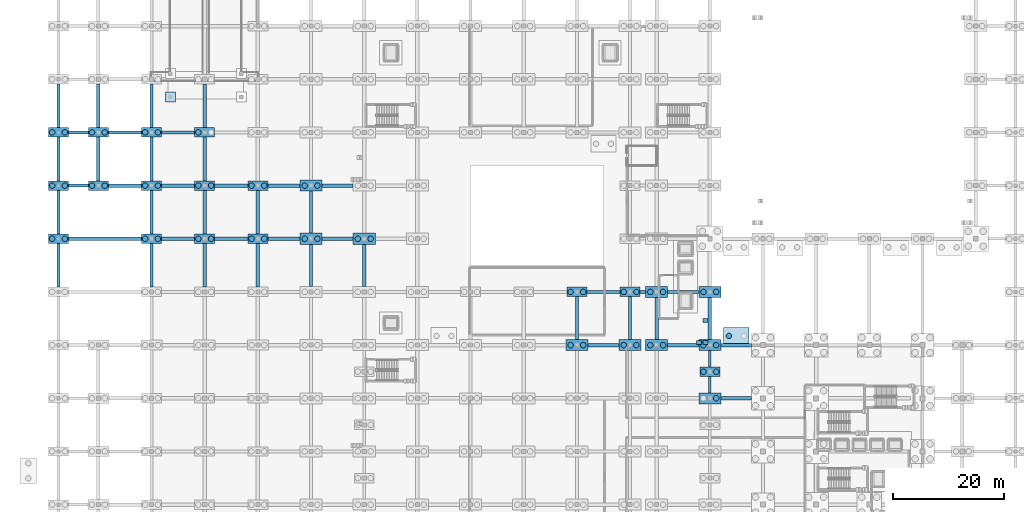
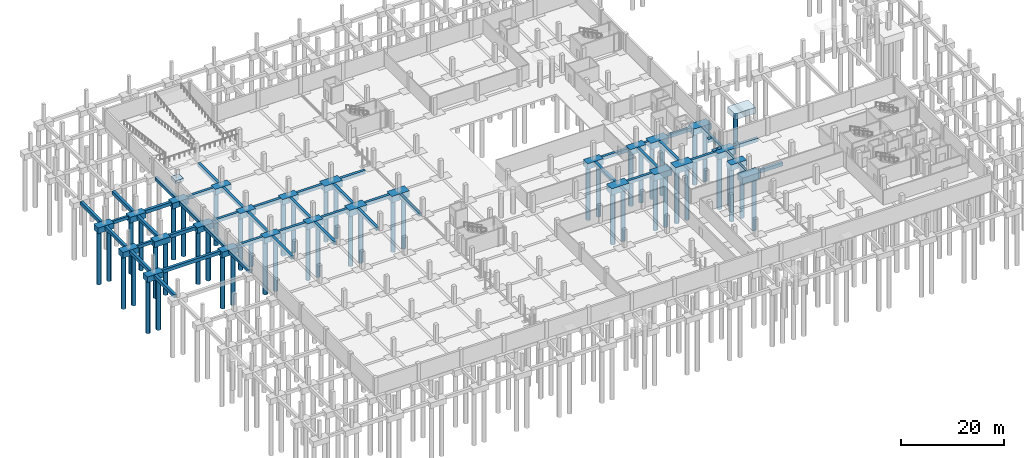
# One storey, part 5 of 54: 77 footings, 51 piles.
"""IFC4 building model written with IfcOpenShell, lengths in metres."""

from ifc_helpers import new_model, si_unit, direction, frame, origin, origin_2d, place, context, subcontext, project, spatial, rectangle, circle, extrude, material, material_profile, profile_set, type_object, element, save


model = new_model("IFC4")

# Units and contexts
model_context = context("Model", 3, precision=1e-05, world=origin(), true_north=direction((0.0, 1.0)))
body_context = subcontext(model_context, "Body", "Model", "MODEL_VIEW")
ifc_project = project(units=[si_unit("LENGTHUNIT", "METRE"), si_unit("AREAUNIT", "SQUARE_METRE"), si_unit("VOLUMEUNIT", "CUBIC_METRE"), si_unit("PLANEANGLEUNIT", "RADIAN"), si_unit("MASSUNIT", "GRAM", prefix="KILO")], contexts=[model_context])

# Site, building, storey
site_placement = place(None, origin())
site = spatial("IfcSite", under=ifc_project, at=site_placement, CompositionType="ELEMENT")
building_placement = place(site_placement, origin())
building = spatial("IfcBuilding", under=site, at=building_placement, Name="Zevrakil Square Congress Hotel", CompositionType="ELEMENT")
storey_placement = place(building_placement, frame((0.0, 0.0, -8.39990234375)))
storey = spatial("IfcBuildingStorey", under=building, at=storey_placement, Name="B2", CompositionType="ELEMENT", Elevation=-8.39990234375)

# Footings
ifc_material_1 = material(Name="Concrete C35/45", Category="concrete")
footing_type_1 = type_object("IfcFootingType", Name="FTG-PAD-1800", PredefinedType="PAD_FOOTING", material=ifc_material_1)
footing_1_placement = place(storey_placement, frame((20.199951171875, 90.39990234375, -0.650146484375), z_axis=(0.0, 0.0, 1.0), x_axis=(1.0, 0.0, 0.0)))
element("IfcFooting", 1, at=footing_1_placement, inside=storey, type_object=footing_type_1, Name="Vehicle ramp landing column footing 1", PredefinedType="PAD_FOOTING", context=body_context, shape_type="SweptSolid", body=[
    extrude(rectangle(XDim=1.800048828125, YDim=1.800048828125, at=origin_2d()), origin(), (0.0, 0.0, 1.0), 0.64990234375),
])
ifc_material_2 = material(Name="Concrete C35/45", Category="concrete")
footing_type_2 = type_object("IfcFootingType", Name="FTG-PC2-360", PredefinedType="PILE_CAP", material=ifc_material_2)
for number, where, z_axis, x_axis, name in (
    (2, (0.0, 64.800048828125, -1.35009765625), (0.0, 0.0, 1.0), (1.0, 0.0, 0.0), "Pile cap PC2-008"),
    (3, (0.0, 74.39990234375, -1.35009765625), (0.0, 0.0, 1.0), (1.0, 0.0, 0.0), "Pile cap PC2-009"),
    (4, (0.0, 84.0, -1.35009765625), (0.0, 0.0, 1.0), (1.0, 0.0, 0.0), "Pile cap PC2-010"),
    (5, (7.199951171875, 74.39990234375, -1.35009765625), (0.0, 0.0, 1.0), (1.0, 0.0, 0.0), "Pile cap PC2-022"),
    (6, (7.199951171875, 84.0, -1.35009765625), (0.0, 0.0, 1.0), (1.0, 0.0, 0.0), "Pile cap PC2-023"),
    (7, (16.800048828125, 64.800048828125, -1.35009765625), (0.0, 0.0, 1.0), (1.0, 0.0, 0.0), "Pile cap PC2-035"),
    (8, (16.800048828125, 74.39990234375, -1.35009765625), (0.0, 0.0, 1.0), (1.0, 0.0, 0.0), "Pile cap PC2-036"),
    (9, (16.800048828125, 84.0, -1.35009765625), (0.0, 0.0, 1.0), (1.0, 0.0, 0.0), "Pile cap PC2-037"),
    (10, (26.39990234375, 64.800048828125, -1.35009765625), (0.0, 0.0, 1.0), (1.0, 0.0, 0.0), "Pile cap PC2-049"),
    (11, (26.39990234375, 74.39990234375, -1.35009765625), (0.0, 0.0, 1.0), (1.0, 0.0, 0.0), "Pile cap PC2-050"),
    (12, (26.39990234375, 84.0, -1.35009765625), (0.0, 0.0, 1.0), (1.0, 0.0, 0.0), "Pile cap PC2-051"),
    (13, (36.0, 64.800048828125, -1.35009765625), (0.0, 0.0, 1.0), (1.0, 0.0, 0.0), "Pile cap PC2-063"),
    (14, (36.0, 74.39990234375, -1.35009765625), (0.0, 0.0, 1.0), (1.0, 0.0, 0.0), "Pile cap PC2-064"),
    (15, (93.60009765625, 55.199951171875, -1.35009765625), (0.0, 0.0, 1.0), (1.0, 0.0, 0.0), "Pile cap PC2-146"),
    (16, (103.199951171875, 55.199951171875, -1.35009765625), (0.0, 0.0, 1.0), (1.0, 0.0, 0.0), "Pile cap PC2-160"),
    (17, (117.60009765625, 40.800048828125, -1.35009765625), (0.0, 0.0, 1.0), (1.0, 0.0, 0.0), "Pile cap PC2-N117-040"),
):
    element("IfcFooting", number, at=place(storey_placement, frame(where, z_axis=z_axis, x_axis=x_axis)), inside=storey, type_object=footing_type_2, Name=name, PredefinedType="PILE_CAP", context=body_context, shape_type="SweptSolid", body=[
        extrude(rectangle(XDim=3.60009765625, YDim=1.699951171875, at=origin_2d()), origin(), (0.0, 0.0, 1.0), 1.35009765625),
    ])
ifc_material_3 = material(Name="Concrete C35/45", Category="concrete")
footing_type_3 = type_object("IfcFootingType", Name="FTG-PC2-400", PredefinedType="PILE_CAP", material=ifc_material_3)
for number, where, z_axis, x_axis, name in (
    (18, (45.60009765625, 64.800048828125, -1.5), (0.0, 0.0, 1.0), (1.0, 0.0, 0.0), "Pile cap PC2-077"),
    (19, (45.60009765625, 74.39990234375, -1.5), (0.0, 0.0, 1.0), (1.0, 0.0, 0.0), "Pile cap PC2-078"),
    (20, (55.199951171875, 64.800048828125, -1.5), (0.0, 0.0, 1.0), (1.0, 0.0, 0.0), "Pile cap PC2-091"),
    (21, (93.60009765625, 45.60009765625, -1.5), (0.0, 0.0, 1.0), (1.0, 0.0, 0.0), "Pile cap PC2-145"),
    (22, (103.199951171875, 45.60009765625, -1.5), (0.0, 0.0, 1.0), (1.0, 0.0, 0.0), "Pile cap PC2-159"),
    (23, (108.0, 45.60009765625, -1.5), (0.0, 0.0, 1.0), (1.0, 0.0, 0.0), "Pile cap PC2-173"),
    (24, (108.0, 55.199951171875, -1.5), (0.0, 0.0, 1.0), (1.0, 0.0, 0.0), "Pile cap PC2-174"),
    (25, (117.60009765625, 36.0, -1.5), (0.0, 0.0, 1.0), (1.0, 0.0, 0.0), "Pile cap PC2-186"),
    (26, (117.60009765625, 45.60009765625, -1.5), (0.0, 0.0, 1.0), (1.0, 0.0, 0.0), "Pile cap PC2-187"),
    (27, (117.60009765625, 55.199951171875, -1.5), (0.0, 0.0, 1.0), (1.0, 0.0, 0.0), "Pile cap PC2-188"),
):
    element("IfcFooting", number, at=place(storey_placement, frame(where, z_axis=z_axis, x_axis=x_axis)), inside=storey, type_object=footing_type_3, Name=name, PredefinedType="PILE_CAP", context=body_context, shape_type="SweptSolid", body=[
        extrude(rectangle(XDim=4.0, YDim=2.0, at=origin_2d()), origin(), (0.0, 0.0, 1.0), 1.5),
    ])
ifc_material_4 = material(Name="Concrete C35/45", Category="concrete")
footing_type_4 = type_object("IfcFootingType", Name="FTG-PC2-460x300", PredefinedType="PILE_CAP", material=ifc_material_4)
footing_2_placement = place(storey_placement, frame((122.39990234375, 47.25, 5.75), z_axis=(0.0, 0.0, 1.0), x_axis=(1.0, 0.0, 0.0)))
element("IfcFooting", 28, at=footing_2_placement, inside=storey, type_object=footing_type_4, Name="Exterior exit landing two-pile cap EX-ST07", PredefinedType="PILE_CAP", context=body_context, shape_type="SweptSolid", body=[
    extrude(rectangle(XDim=4.60009765625, YDim=3.0, at=origin_2d()), origin(), (0.0, 0.0, 1.0), 1.39990234375),
])
ifc_material_5 = material(Name="Concrete C35/45", Category="concrete")
ifc_material_profile_1 = material_profile(ifc_material_5, rectangle(XDim=0.75, YDim=0.75, at=origin_2d()), Name="RC 750x750")
ifc_profile_set_1 = profile_set([ifc_material_profile_1], Name="Concrete C35/45")
footing_type_5 = type_object("IfcFootingType", Name="FTG-STRIP-750", PredefinedType="STRIP_FOOTING", material=ifc_profile_set_1)
footing_3_placement = place(storey_placement, frame((115.199951171875, 46.10009765625, -0.375), z_axis=(1.0, 0.0, 0.0), x_axis=(0.0, 1.0, 0.0)))
element("IfcFooting", 29, at=footing_3_placement, inside=storey, type_object=footing_type_5, Name="B2 stair post footing ST07-1", PredefinedType="STRIP_FOOTING", context=body_context, shape_type="SweptSolid", body=[
    extrude(rectangle(XDim=0.75, YDim=0.75, at=origin_2d()), origin(), (0.0, 0.0, 1.0), 0.900146484375),
])
for number, where, z_axis, x_axis, name in (
    (30, (116.330078125, 46.10009765625, -0.375), (1.0, 0.0, 0.0), (0.0, 1.0, 0.0), "B2 stair post footing ST07-2"),
    (31, (116.330078125, 50.050048828125, -0.375), (1.0, 0.0, 0.0), (0.0, 1.0, 0.0), "B2 stair post footing ST07-3"),
):
    element("IfcFooting", number, at=place(storey_placement, frame(where, z_axis=z_axis, x_axis=x_axis)), inside=storey, type_object=footing_type_5, Name=name, PredefinedType="STRIP_FOOTING", context=body_context, shape_type="SweptSolid", body=[
        extrude(rectangle(XDim=0.75, YDim=0.75, at=origin_2d()), origin(), (0.0, 0.0, 1.0), 0.89990234375),
    ])
ifc_material_6 = material(Name="Concrete C35/45", Category="concrete")
ifc_material_profile_2 = material_profile(ifc_material_6, rectangle(XDim=0.5, YDim=0.75, at=origin_2d()), Name="RC 500x750")
ifc_profile_set_2 = profile_set([ifc_material_profile_2], Name="Concrete C35/45")
footing_type_6 = type_object("IfcFootingType", Name="FTG-TIE-500x750", PredefinedType="FOOTING_BEAM", material=ifc_profile_set_2)
footing_4_placement = place(storey_placement, frame((105.0, 55.199951171875, -0.375), z_axis=(1.0, 0.0, 0.0), x_axis=(0.0, 1.0, 0.0)))
element("IfcFooting", 32, at=footing_4_placement, inside=storey, type_object=footing_type_6, Name="Ground tie beam GB-116", PredefinedType="FOOTING_BEAM", context=body_context, shape_type="SweptSolid", body=[
    extrude(rectangle(XDim=0.5, YDim=0.75, at=origin_2d()), origin(), (0.0, 0.0, 1.0), 1.0),
])
for number, where, z_axis, x_axis, name in (
    (33, (1.800048828125, 74.39990234375, -0.375), (1.0, 0.0, 0.0), (0.0, 1.0, 0.0), "Ground tie beam GB-132"),
    (34, (1.800048828125, 84.0, -0.375), (1.0, 0.0, 0.0), (0.0, 1.0, 0.0), "Ground tie beam GB-142"),
):
    element("IfcFooting", number, at=place(storey_placement, frame(where, z_axis=z_axis, x_axis=x_axis)), inside=storey, type_object=footing_type_6, Name=name, PredefinedType="FOOTING_BEAM", context=body_context, shape_type="SweptSolid", body=[
        extrude(rectangle(XDim=0.5, YDim=0.75, at=origin_2d()), origin(), (0.0, 0.0, 1.0), 3.599853515625),
    ])
footing_5_placement = place(storey_placement, frame((117.60009765625, 37.0, -0.375), z_axis=(0.0, 1.0, 0.0), x_axis=(-1.0, 0.0, 0.0)))
element("IfcFooting", 35, at=footing_5_placement, inside=storey, type_object=footing_type_6, Name="Ground tie beam GB-381", PredefinedType="FOOTING_BEAM", context=body_context, shape_type="SweptSolid", body=[
    extrude(rectangle(XDim=0.5, YDim=0.75, at=origin_2d()), origin(), (0.0, 0.0, 1.0), 2.949951171875),
])
footing_6_placement = place(storey_placement, frame((117.60009765625, 41.64990234375, -0.375), z_axis=(0.0, 1.0, 0.0), x_axis=(-1.0, 0.0, 0.0)))
element("IfcFooting", 36, at=footing_6_placement, inside=storey, type_object=footing_type_6, Name="Ground tie beam GB-382", PredefinedType="FOOTING_BEAM", context=body_context, shape_type="SweptSolid", body=[
    extrude(rectangle(XDim=0.5, YDim=0.75, at=origin_2d()), origin(), (0.0, 0.0, 1.0), 2.9501953125),
])
ifc_material_7 = material(Name="Concrete C35/45", Category="concrete")
ifc_material_profile_3 = material_profile(ifc_material_7, rectangle(XDim=0.60009765625, YDim=0.800048828125, at=origin_2d()), Name="RC 600x800")
ifc_profile_set_3 = profile_set([ifc_material_profile_3], Name="Concrete C35/45")
footing_type_7 = type_object("IfcFootingType", Name="FTG-TIE-600x800", PredefinedType="FOOTING_BEAM", material=ifc_profile_set_3)
footing_7_placement = place(storey_placement, frame((119.60009765625, 36.0, -0.400146484375), z_axis=(1.0, 0.0, 0.0), x_axis=(0.0, 1.0, 0.0)))
element("IfcFooting", 37, at=footing_7_placement, inside=storey, type_object=footing_type_7, Name="Ground tie beam GB-083", PredefinedType="FOOTING_BEAM", context=body_context, shape_type="SweptSolid", body=[
    extrude(rectangle(XDim=0.60009765625, YDim=0.800048828125, at=origin_2d()), origin(), (0.0, 0.0, 1.0), 5.5),
])
footing_8_placement = place(storey_placement, frame((95.60009765625, 45.60009765625, -0.400146484375), z_axis=(1.0, 0.0, 0.0), x_axis=(0.0, 1.0, 0.0)))
element("IfcFooting", 38, at=footing_8_placement, inside=storey, type_object=footing_type_7, Name="Ground tie beam GB-098", PredefinedType="FOOTING_BEAM", context=body_context, shape_type="SweptSolid", body=[
    extrude(rectangle(XDim=0.60009765625, YDim=0.800048828125, at=origin_2d()), origin(), (0.0, 0.0, 1.0), 5.599853515625),
])
footing_9_placement = place(storey_placement, frame((110.0, 45.60009765625, -0.400146484375), z_axis=(1.0, 0.0, 0.0), x_axis=(0.0, 1.0, 0.0)))
element("IfcFooting", 39, at=footing_9_placement, inside=storey, type_object=footing_type_7, Name="Ground tie beam GB-099", PredefinedType="FOOTING_BEAM", context=body_context, shape_type="SweptSolid", body=[
    extrude(rectangle(XDim=0.60009765625, YDim=0.800048828125, at=origin_2d()), origin(), (0.0, 0.0, 1.0), 5.60009765625),
])
footing_10_placement = place(storey_placement, frame((119.60009765625, 45.60009765625, -0.400146484375), z_axis=(1.0, 0.0, 0.0), x_axis=(0.0, 1.0, 0.0)))
element("IfcFooting", 40, at=footing_10_placement, inside=storey, type_object=footing_type_7, Name="Ground tie beam GB-100", PredefinedType="FOOTING_BEAM", context=body_context, shape_type="SweptSolid", body=[
    extrude(rectangle(XDim=0.60009765625, YDim=0.800048828125, at=origin_2d()), origin(), (0.0, 0.0, 1.0), 5.5),
])
footing_11_placement = place(storey_placement, frame((95.39990234375, 55.199951171875, -0.400146484375), z_axis=(1.0, 0.0, 0.0), x_axis=(0.0, 1.0, 0.0)))
element("IfcFooting", 41, at=footing_11_placement, inside=storey, type_object=footing_type_7, Name="Ground tie beam GB-115", PredefinedType="FOOTING_BEAM", context=body_context, shape_type="SweptSolid", body=[
    extrude(rectangle(XDim=0.60009765625, YDim=0.800048828125, at=origin_2d()), origin(), (0.0, 0.0, 1.0), 6.0),
])
footing_12_placement = place(storey_placement, frame((110.0, 55.199951171875, -0.400146484375), z_axis=(1.0, 0.0, 0.0), x_axis=(0.0, 1.0, 0.0)))
element("IfcFooting", 42, at=footing_12_placement, inside=storey, type_object=footing_type_7, Name="Ground tie beam GB-117", PredefinedType="FOOTING_BEAM", context=body_context, shape_type="SweptSolid", body=[
    extrude(rectangle(XDim=0.60009765625, YDim=0.800048828125, at=origin_2d()), origin(), (0.0, 0.0, 1.0), 5.60009765625),
])
footing_13_placement = place(storey_placement, frame((1.800048828125, 64.800048828125, -0.400146484375), z_axis=(1.0, 0.0, 0.0), x_axis=(0.0, 1.0, 0.0)))
element("IfcFooting", 43, at=footing_13_placement, inside=storey, type_object=footing_type_7, Name="Ground tie beam GB-118", PredefinedType="FOOTING_BEAM", context=body_context, shape_type="SweptSolid", body=[
    extrude(rectangle(XDim=0.60009765625, YDim=0.800048828125, at=origin_2d()), origin(), (0.0, 0.0, 1.0), 13.199951171875),
])
for number, where, z_axis, x_axis, name in (
    (44, (18.60009765625, 64.800048828125, -0.400146484375), (1.0, 0.0, 0.0), (0.0, 1.0, 0.0), "Ground tie beam GB-119"),
    (45, (28.199951171875, 64.800048828125, -0.400146484375), (1.0, 0.0, 0.0), (0.0, 1.0, 0.0), "Ground tie beam GB-120"),
):
    element("IfcFooting", number, at=place(storey_placement, frame(where, z_axis=z_axis, x_axis=x_axis)), inside=storey, type_object=footing_type_7, Name=name, PredefinedType="FOOTING_BEAM", context=body_context, shape_type="SweptSolid", body=[
        extrude(rectangle(XDim=0.60009765625, YDim=0.800048828125, at=origin_2d()), origin(), (0.0, 0.0, 1.0), 6.0),
    ])
footing_14_placement = place(storey_placement, frame((37.800048828125, 64.800048828125, -0.400146484375), z_axis=(1.0, 0.0, 0.0), x_axis=(0.0, 1.0, 0.0)))
element("IfcFooting", 46, at=footing_14_placement, inside=storey, type_object=footing_type_7, Name="Ground tie beam GB-121", PredefinedType="FOOTING_BEAM", context=body_context, shape_type="SweptSolid", body=[
    extrude(rectangle(XDim=0.60009765625, YDim=0.800048828125, at=origin_2d()), origin(), (0.0, 0.0, 1.0), 5.800048828125),
])
footing_15_placement = place(storey_placement, frame((47.60009765625, 64.800048828125, -0.400146484375), z_axis=(1.0, 0.0, 0.0), x_axis=(0.0, 1.0, 0.0)))
element("IfcFooting", 47, at=footing_15_placement, inside=storey, type_object=footing_type_7, Name="Ground tie beam GB-122", PredefinedType="FOOTING_BEAM", context=body_context, shape_type="SweptSolid", body=[
    extrude(rectangle(XDim=0.60009765625, YDim=0.800048828125, at=origin_2d()), origin(), (0.0, 0.0, 1.0), 5.599853515625),
])
for number, where, z_axis, x_axis, name in (
    (48, (9.0, 74.39990234375, -0.400146484375), (1.0, 0.0, 0.0), (0.0, 1.0, 0.0), "Ground tie beam GB-133"),
    (49, (18.60009765625, 74.39990234375, -0.400146484375), (1.0, 0.0, 0.0), (0.0, 1.0, 0.0), "Ground tie beam GB-134"),
    (50, (28.199951171875, 74.39990234375, -0.400146484375), (1.0, 0.0, 0.0), (0.0, 1.0, 0.0), "Ground tie beam GB-135"),
):
    element("IfcFooting", number, at=place(storey_placement, frame(where, z_axis=z_axis, x_axis=x_axis)), inside=storey, type_object=footing_type_7, Name=name, PredefinedType="FOOTING_BEAM", context=body_context, shape_type="SweptSolid", body=[
        extrude(rectangle(XDim=0.60009765625, YDim=0.800048828125, at=origin_2d()), origin(), (0.0, 0.0, 1.0), 6.0),
    ])
footing_16_placement = place(storey_placement, frame((37.800048828125, 74.39990234375, -0.400146484375), z_axis=(1.0, 0.0, 0.0), x_axis=(0.0, 1.0, 0.0)))
element("IfcFooting", 51, at=footing_16_placement, inside=storey, type_object=footing_type_7, Name="Ground tie beam GB-136", PredefinedType="FOOTING_BEAM", context=body_context, shape_type="SweptSolid", body=[
    extrude(rectangle(XDim=0.60009765625, YDim=0.800048828125, at=origin_2d()), origin(), (0.0, 0.0, 1.0), 5.800048828125),
])
footing_17_placement = place(storey_placement, frame((47.60009765625, 74.39990234375, -0.400146484375), z_axis=(1.0, 0.0, 0.0), x_axis=(0.0, 1.0, 0.0)))
element("IfcFooting", 52, at=footing_17_placement, inside=storey, type_object=footing_type_7, Name="Ground tie beam GB-137", PredefinedType="FOOTING_BEAM", context=body_context, shape_type="SweptSolid", body=[
    extrude(rectangle(XDim=0.60009765625, YDim=0.800048828125, at=origin_2d()), origin(), (0.0, 0.0, 1.0), 5.599853515625),
])
for number, where, z_axis, x_axis, name in (
    (53, (9.0, 84.0, -0.400146484375), (1.0, 0.0, 0.0), (0.0, 1.0, 0.0), "Ground tie beam GB-143"),
    (54, (18.60009765625, 84.0, -0.400146484375), (1.0, 0.0, 0.0), (0.0, 1.0, 0.0), "Ground tie beam GB-144"),
):
    element("IfcFooting", number, at=place(storey_placement, frame(where, z_axis=z_axis, x_axis=x_axis)), inside=storey, type_object=footing_type_7, Name=name, PredefinedType="FOOTING_BEAM", context=body_context, shape_type="SweptSolid", body=[
        extrude(rectangle(XDim=0.60009765625, YDim=0.800048828125, at=origin_2d()), origin(), (0.0, 0.0, 1.0), 6.0),
    ])
footing_18_placement = place(storey_placement, frame((0.0, 56.050048828125, -0.400146484375), z_axis=(0.0, 1.0, 0.0), x_axis=(-1.0, 0.0, 0.0)))
element("IfcFooting", 55, at=footing_18_placement, inside=storey, type_object=footing_type_7, Name="Ground tie beam GB-221", PredefinedType="FOOTING_BEAM", context=body_context, shape_type="SweptSolid", body=[
    extrude(rectangle(XDim=0.60009765625, YDim=0.800048828125, at=origin_2d()), origin(), (0.0, 0.0, 1.0), 7.89990234375),
])
footing_19_placement = place(storey_placement, frame((0.0, 65.64990234375, -0.400146484375), z_axis=(0.0, 1.0, 0.0), x_axis=(-1.0, 0.0, 0.0)))
element("IfcFooting", 56, at=footing_19_placement, inside=storey, type_object=footing_type_7, Name="Ground tie beam GB-222", PredefinedType="FOOTING_BEAM", context=body_context, shape_type="SweptSolid", body=[
    extrude(rectangle(XDim=0.60009765625, YDim=0.800048828125, at=origin_2d()), origin(), (0.0, 0.0, 1.0), 7.900146484375),
])
for number, where, z_axis, x_axis, name in (
    (57, (0.0, 75.25, -0.400146484375), (0.0, 1.0, 0.0), (-1.0, 0.0, 0.0), "Ground tie beam GB-223"),
    (58, (0.0, 84.85009765625, -0.400146484375), (0.0, 1.0, 0.0), (-1.0, 0.0, 0.0), "Ground tie beam GB-224"),
    (59, (7.199951171875, 75.25, -0.400146484375), (0.0, 1.0, 0.0), (-1.0, 0.0, 0.0), "Ground tie beam GB-232"),
    (60, (7.199951171875, 84.85009765625, -0.400146484375), (0.0, 1.0, 0.0), (-1.0, 0.0, 0.0), "Ground tie beam GB-233"),
    (61, (16.800048828125, 56.050048828125, -0.400146484375), (0.0, 1.0, 0.0), (-1.0, 0.0, 0.0), "Ground tie beam GB-243"),
):
    element("IfcFooting", number, at=place(storey_placement, frame(where, z_axis=z_axis, x_axis=x_axis)), inside=storey, type_object=footing_type_7, Name=name, PredefinedType="FOOTING_BEAM", context=body_context, shape_type="SweptSolid", body=[
        extrude(rectangle(XDim=0.60009765625, YDim=0.800048828125, at=origin_2d()), origin(), (0.0, 0.0, 1.0), 7.89990234375),
    ])
footing_20_placement = place(storey_placement, frame((16.800048828125, 65.64990234375, -0.400146484375), z_axis=(0.0, 1.0, 0.0), x_axis=(-1.0, 0.0, 0.0)))
element("IfcFooting", 62, at=footing_20_placement, inside=storey, type_object=footing_type_7, Name="Ground tie beam GB-244", PredefinedType="FOOTING_BEAM", context=body_context, shape_type="SweptSolid", body=[
    extrude(rectangle(XDim=0.60009765625, YDim=0.800048828125, at=origin_2d()), origin(), (0.0, 0.0, 1.0), 7.900146484375),
])
for number, where, z_axis, x_axis, name in (
    (63, (16.800048828125, 75.25, -0.400146484375), (0.0, 1.0, 0.0), (-1.0, 0.0, 0.0), "Ground tie beam GB-245"),
    (64, (16.800048828125, 84.85009765625, -0.400146484375), (0.0, 1.0, 0.0), (-1.0, 0.0, 0.0), "Ground tie beam GB-246"),
    (65, (26.39990234375, 56.050048828125, -0.400146484375), (0.0, 1.0, 0.0), (-1.0, 0.0, 0.0), "Ground tie beam GB-256"),
):
    element("IfcFooting", number, at=place(storey_placement, frame(where, z_axis=z_axis, x_axis=x_axis)), inside=storey, type_object=footing_type_7, Name=name, PredefinedType="FOOTING_BEAM", context=body_context, shape_type="SweptSolid", body=[
        extrude(rectangle(XDim=0.60009765625, YDim=0.800048828125, at=origin_2d()), origin(), (0.0, 0.0, 1.0), 7.89990234375),
    ])
footing_21_placement = place(storey_placement, frame((26.39990234375, 65.64990234375, -0.400146484375), z_axis=(0.0, 1.0, 0.0), x_axis=(-1.0, 0.0, 0.0)))
element("IfcFooting", 66, at=footing_21_placement, inside=storey, type_object=footing_type_7, Name="Ground tie beam GB-257", PredefinedType="FOOTING_BEAM", context=body_context, shape_type="SweptSolid", body=[
    extrude(rectangle(XDim=0.60009765625, YDim=0.800048828125, at=origin_2d()), origin(), (0.0, 0.0, 1.0), 7.900146484375),
])
for number, where, z_axis, x_axis, name in (
    (67, (26.39990234375, 75.25, -0.400146484375), (0.0, 1.0, 0.0), (-1.0, 0.0, 0.0), "Ground tie beam GB-258"),
    (68, (26.39990234375, 84.85009765625, -0.400146484375), (0.0, 1.0, 0.0), (-1.0, 0.0, 0.0), "Ground tie beam GB-259"),
    (69, (36.0, 56.050048828125, -0.400146484375), (0.0, 1.0, 0.0), (-1.0, 0.0, 0.0), "Ground tie beam GB-268"),
):
    element("IfcFooting", number, at=place(storey_placement, frame(where, z_axis=z_axis, x_axis=x_axis)), inside=storey, type_object=footing_type_7, Name=name, PredefinedType="FOOTING_BEAM", context=body_context, shape_type="SweptSolid", body=[
        extrude(rectangle(XDim=0.60009765625, YDim=0.800048828125, at=origin_2d()), origin(), (0.0, 0.0, 1.0), 7.89990234375),
    ])
footing_22_placement = place(storey_placement, frame((36.0, 65.64990234375, -0.400146484375), z_axis=(0.0, 1.0, 0.0), x_axis=(-1.0, 0.0, 0.0)))
element("IfcFooting", 70, at=footing_22_placement, inside=storey, type_object=footing_type_7, Name="Ground tie beam GB-269", PredefinedType="FOOTING_BEAM", context=body_context, shape_type="SweptSolid", body=[
    extrude(rectangle(XDim=0.60009765625, YDim=0.800048828125, at=origin_2d()), origin(), (0.0, 0.0, 1.0), 7.900146484375),
])
footing_23_placement = place(storey_placement, frame((45.60009765625, 56.199951171875, -0.400146484375), z_axis=(0.0, 1.0, 0.0), x_axis=(-1.0, 0.0, 0.0)))
element("IfcFooting", 71, at=footing_23_placement, inside=storey, type_object=footing_type_7, Name="Ground tie beam GB-281", PredefinedType="FOOTING_BEAM", context=body_context, shape_type="SweptSolid", body=[
    extrude(rectangle(XDim=0.60009765625, YDim=0.800048828125, at=origin_2d()), origin(), (0.0, 0.0, 1.0), 7.60009765625),
])
footing_24_placement = place(storey_placement, frame((45.60009765625, 65.800048828125, -0.400146484375), z_axis=(0.0, 1.0, 0.0), x_axis=(-1.0, 0.0, 0.0)))
element("IfcFooting", 72, at=footing_24_placement, inside=storey, type_object=footing_type_7, Name="Ground tie beam GB-282", PredefinedType="FOOTING_BEAM", context=body_context, shape_type="SweptSolid", body=[
    extrude(rectangle(XDim=0.60009765625, YDim=0.800048828125, at=origin_2d()), origin(), (0.0, 0.0, 1.0), 7.599853515625),
])
footing_25_placement = place(storey_placement, frame((55.199951171875, 56.199951171875, -0.400146484375), z_axis=(0.0, 1.0, 0.0), x_axis=(-1.0, 0.0, 0.0)))
element("IfcFooting", 73, at=footing_25_placement, inside=storey, type_object=footing_type_7, Name="Ground tie beam GB-298", PredefinedType="FOOTING_BEAM", context=body_context, shape_type="SweptSolid", body=[
    extrude(rectangle(XDim=0.60009765625, YDim=0.800048828125, at=origin_2d()), origin(), (0.0, 0.0, 1.0), 7.60009765625),
])
for number, where, z_axis, x_axis, name in (
    (74, (93.60009765625, 46.60009765625, -0.400146484375), (0.0, 1.0, 0.0), (-1.0, 0.0, 0.0), "Ground tie beam GB-343"),
    (75, (103.199951171875, 46.60009765625, -0.400146484375), (0.0, 1.0, 0.0), (-1.0, 0.0, 0.0), "Ground tie beam GB-353"),
):
    element("IfcFooting", number, at=place(storey_placement, frame(where, z_axis=z_axis, x_axis=x_axis)), inside=storey, type_object=footing_type_7, Name=name, PredefinedType="FOOTING_BEAM", context=body_context, shape_type="SweptSolid", body=[
        extrude(rectangle(XDim=0.60009765625, YDim=0.800048828125, at=origin_2d()), origin(), (0.0, 0.0, 1.0), 7.75),
    ])
for number, where, z_axis, x_axis, name in (
    (76, (108.0, 46.60009765625, -0.400146484375), (0.0, 1.0, 0.0), (-1.0, 0.0, 0.0), "Ground tie beam GB-366"),
    (77, (117.60009765625, 46.60009765625, -0.400146484375), (0.0, 1.0, 0.0), (-1.0, 0.0, 0.0), "Ground tie beam GB-383"),
):
    element("IfcFooting", number, at=place(storey_placement, frame(where, z_axis=z_axis, x_axis=x_axis)), inside=storey, type_object=footing_type_7, Name=name, PredefinedType="FOOTING_BEAM", context=body_context, shape_type="SweptSolid", body=[
        extrude(rectangle(XDim=0.60009765625, YDim=0.800048828125, at=origin_2d()), origin(), (0.0, 0.0, 1.0), 7.599853515625),
    ])

# Piles
ifc_material_8 = material(Name="Concrete C35/45", Category="concrete")
ifc_material_profile_4 = material_profile(ifc_material_8, circle(Radius=0.5, at=origin_2d()), Name="PILE D1000")
ifc_profile_set_4 = profile_set([ifc_material_profile_4], Name="Concrete C35/45")
pile_type = type_object("IfcPileType", Name="PILE-BORED-1000", PredefinedType="BORED", material=ifc_profile_set_4)
for number, where, z_axis, x_axis, name in (
    (78, (-1.14990234375, 64.800048828125, -1.25), (0.0, 0.0, -1.0), (1.0, 0.0, 0.0), "Bored pile PC2-008-1"),
    (79, (1.14990234375, 64.800048828125, -1.25), (0.0, 0.0, -1.0), (1.0, 0.0, 0.0), "Bored pile PC2-008-2"),
    (80, (-1.14990234375, 74.39990234375, -1.25), (0.0, 0.0, -1.0), (1.0, 0.0, 0.0), "Bored pile PC2-009-1"),
    (81, (1.14990234375, 74.39990234375, -1.25), (0.0, 0.0, -1.0), (1.0, 0.0, 0.0), "Bored pile PC2-009-2"),
    (82, (-1.14990234375, 84.0, -1.25), (0.0, 0.0, -1.0), (1.0, 0.0, 0.0), "Bored pile PC2-010-1"),
    (83, (1.14990234375, 84.0, -1.25), (0.0, 0.0, -1.0), (1.0, 0.0, 0.0), "Bored pile PC2-010-2"),
    (84, (6.050048828125, 74.39990234375, -1.25), (0.0, 0.0, -1.0), (1.0, 0.0, 0.0), "Bored pile PC2-022-1"),
    (85, (8.35009765625, 74.39990234375, -1.25), (0.0, 0.0, -1.0), (1.0, 0.0, 0.0), "Bored pile PC2-022-2"),
    (86, (6.050048828125, 84.0, -1.25), (0.0, 0.0, -1.0), (1.0, 0.0, 0.0), "Bored pile PC2-023-1"),
    (87, (8.35009765625, 84.0, -1.25), (0.0, 0.0, -1.0), (1.0, 0.0, 0.0), "Bored pile PC2-023-2"),
    (88, (15.64990234375, 64.800048828125, -1.25), (0.0, 0.0, -1.0), (1.0, 0.0, 0.0), "Bored pile PC2-035-1"),
    (89, (17.949951171875, 64.800048828125, -1.25), (0.0, 0.0, -1.0), (1.0, 0.0, 0.0), "Bored pile PC2-035-2"),
    (90, (15.64990234375, 74.39990234375, -1.25), (0.0, 0.0, -1.0), (1.0, 0.0, 0.0), "Bored pile PC2-036-1"),
    (91, (17.949951171875, 74.39990234375, -1.25), (0.0, 0.0, -1.0), (1.0, 0.0, 0.0), "Bored pile PC2-036-2"),
    (92, (15.64990234375, 84.0, -1.25), (0.0, 0.0, -1.0), (1.0, 0.0, 0.0), "Bored pile PC2-037-1"),
    (93, (17.949951171875, 84.0, -1.25), (0.0, 0.0, -1.0), (1.0, 0.0, 0.0), "Bored pile PC2-037-2"),
    (94, (25.25, 64.800048828125, -1.25), (0.0, 0.0, -1.0), (1.0, 0.0, 0.0), "Bored pile PC2-049-1"),
    (95, (27.550048828125, 64.800048828125, -1.25), (0.0, 0.0, -1.0), (1.0, 0.0, 0.0), "Bored pile PC2-049-2"),
    (96, (25.25, 74.39990234375, -1.25), (0.0, 0.0, -1.0), (1.0, 0.0, 0.0), "Bored pile PC2-050-1"),
    (97, (27.550048828125, 74.39990234375, -1.25), (0.0, 0.0, -1.0), (1.0, 0.0, 0.0), "Bored pile PC2-050-2"),
    (98, (25.25, 84.0, -1.25), (0.0, 0.0, -1.0), (1.0, 0.0, 0.0), "Bored pile PC2-051-1"),
    (99, (34.85009765625, 64.800048828125, -1.25), (0.0, 0.0, -1.0), (1.0, 0.0, 0.0), "Bored pile PC2-063-1"),
    (100, (37.14990234375, 64.800048828125, -1.25), (0.0, 0.0, -1.0), (1.0, 0.0, 0.0), "Bored pile PC2-063-2"),
    (101, (34.85009765625, 74.39990234375, -1.25), (0.0, 0.0, -1.0), (1.0, 0.0, 0.0), "Bored pile PC2-064-1"),
    (102, (37.14990234375, 74.39990234375, -1.25), (0.0, 0.0, -1.0), (1.0, 0.0, 0.0), "Bored pile PC2-064-2"),
):
    element("IfcPile", number, at=place(storey_placement, frame(where, z_axis=z_axis, x_axis=x_axis)), inside=storey, type_object=pile_type, Name=name, PredefinedType="BORED", context=body_context, shape_type="SweptSolid", body=[
        extrude(circle(Radius=0.5, at=origin_2d()), origin(), (0.0, 0.0, 1.0), 12.64990234375),
    ])
for number, where, z_axis, x_axis, name in (
    (103, (44.449951171875, 64.800048828125, -1.400146484375), (0.0, 0.0, -1.0), (1.0, 0.0, 0.0), "Bored pile PC2-077-1"),
    (104, (46.75, 64.800048828125, -1.400146484375), (0.0, 0.0, -1.0), (1.0, 0.0, 0.0), "Bored pile PC2-077-2"),
    (105, (44.449951171875, 74.39990234375, -1.400146484375), (0.0, 0.0, -1.0), (1.0, 0.0, 0.0), "Bored pile PC2-078-1"),
    (106, (46.75, 74.39990234375, -1.400146484375), (0.0, 0.0, -1.0), (1.0, 0.0, 0.0), "Bored pile PC2-078-2"),
    (107, (54.050048828125, 64.800048828125, -1.400146484375), (0.0, 0.0, -1.0), (1.0, 0.0, 0.0), "Bored pile PC2-091-1"),
    (108, (56.35009765625, 64.800048828125, -1.400146484375), (0.0, 0.0, -1.0), (1.0, 0.0, 0.0), "Bored pile PC2-091-2"),
    (109, (92.449951171875, 45.60009765625, -1.400146484375), (0.0, 0.0, -1.0), (1.0, 0.0, 0.0), "Bored pile PC2-145-1"),
    (110, (94.75, 45.60009765625, -1.400146484375), (0.0, 0.0, -1.0), (1.0, 0.0, 0.0), "Bored pile PC2-145-2"),
):
    element("IfcPile", number, at=place(storey_placement, frame(where, z_axis=z_axis, x_axis=x_axis)), inside=storey, type_object=pile_type, Name=name, PredefinedType="BORED", context=body_context, shape_type="SweptSolid", body=[
        extrude(circle(Radius=0.5, at=origin_2d()), origin(), (0.0, 0.0, 1.0), 12.5),
    ])
for number, where, z_axis, x_axis, name in (
    (111, (92.449951171875, 55.199951171875, -1.25), (0.0, 0.0, -1.0), (1.0, 0.0, 0.0), "Bored pile PC2-146-1"),
    (112, (94.75, 55.199951171875, -1.25), (0.0, 0.0, -1.0), (1.0, 0.0, 0.0), "Bored pile PC2-146-2"),
):
    element("IfcPile", number, at=place(storey_placement, frame(where, z_axis=z_axis, x_axis=x_axis)), inside=storey, type_object=pile_type, Name=name, PredefinedType="BORED", context=body_context, shape_type="SweptSolid", body=[
        extrude(circle(Radius=0.5, at=origin_2d()), origin(), (0.0, 0.0, 1.0), 12.64990234375),
    ])
for number, where, z_axis, x_axis, name in (
    (113, (102.050048828125, 45.60009765625, -1.400146484375), (0.0, 0.0, -1.0), (1.0, 0.0, 0.0), "Bored pile PC2-159-1"),
    (114, (104.35009765625, 45.60009765625, -1.400146484375), (0.0, 0.0, -1.0), (1.0, 0.0, 0.0), "Bored pile PC2-159-2"),
):
    element("IfcPile", number, at=place(storey_placement, frame(where, z_axis=z_axis, x_axis=x_axis)), inside=storey, type_object=pile_type, Name=name, PredefinedType="BORED", context=body_context, shape_type="SweptSolid", body=[
        extrude(circle(Radius=0.5, at=origin_2d()), origin(), (0.0, 0.0, 1.0), 12.5),
    ])
for number, where, z_axis, x_axis, name in (
    (115, (102.050048828125, 55.199951171875, -1.25), (0.0, 0.0, -1.0), (1.0, 0.0, 0.0), "Bored pile PC2-160-1"),
    (116, (104.35009765625, 55.199951171875, -1.25), (0.0, 0.0, -1.0), (1.0, 0.0, 0.0), "Bored pile PC2-160-2"),
):
    element("IfcPile", number, at=place(storey_placement, frame(where, z_axis=z_axis, x_axis=x_axis)), inside=storey, type_object=pile_type, Name=name, PredefinedType="BORED", context=body_context, shape_type="SweptSolid", body=[
        extrude(circle(Radius=0.5, at=origin_2d()), origin(), (0.0, 0.0, 1.0), 12.64990234375),
    ])
for number, where, z_axis, x_axis, name in (
    (117, (106.85009765625, 45.60009765625, -1.400146484375), (0.0, 0.0, -1.0), (1.0, 0.0, 0.0), "Bored pile PC2-173-1"),
    (118, (109.14990234375, 45.60009765625, -1.400146484375), (0.0, 0.0, -1.0), (1.0, 0.0, 0.0), "Bored pile PC2-173-2"),
    (119, (106.85009765625, 55.199951171875, -1.400146484375), (0.0, 0.0, -1.0), (1.0, 0.0, 0.0), "Bored pile PC2-174-1"),
    (120, (109.14990234375, 55.199951171875, -1.400146484375), (0.0, 0.0, -1.0), (1.0, 0.0, 0.0), "Bored pile PC2-174-2"),
    (121, (118.75, 36.0, -1.400146484375), (0.0, 0.0, -1.0), (1.0, 0.0, 0.0), "Bored pile PC2-186-2"),
):
    element("IfcPile", number, at=place(storey_placement, frame(where, z_axis=z_axis, x_axis=x_axis)), inside=storey, type_object=pile_type, Name=name, PredefinedType="BORED", context=body_context, shape_type="SweptSolid", body=[
        extrude(circle(Radius=0.5, at=origin_2d()), origin(), (0.0, 0.0, 1.0), 12.5),
    ])
for number, where, z_axis, x_axis, name in (
    (122, (116.449951171875, 40.800048828125, -1.25), (0.0, 0.0, -1.0), (1.0, 0.0, 0.0), "Bored pile PC2-N117-040-1"),
    (123, (118.75, 40.800048828125, -1.25), (0.0, 0.0, -1.0), (1.0, 0.0, 0.0), "Bored pile PC2-N117-040-2"),
):
    element("IfcPile", number, at=place(storey_placement, frame(where, z_axis=z_axis, x_axis=x_axis)), inside=storey, type_object=pile_type, Name=name, PredefinedType="BORED", context=body_context, shape_type="SweptSolid", body=[
        extrude(circle(Radius=0.5, at=origin_2d()), origin(), (0.0, 0.0, 1.0), 12.64990234375),
    ])
for number, where, z_axis, x_axis, name in (
    (124, (116.449951171875, 45.60009765625, -1.400146484375), (0.0, 0.0, -1.0), (1.0, 0.0, 0.0), "Bored pile PC2-187-1"),
    (125, (118.75, 45.60009765625, -1.400146484375), (0.0, 0.0, -1.0), (1.0, 0.0, 0.0), "Bored pile PC2-187-2"),
    (126, (116.449951171875, 55.199951171875, -1.400146484375), (0.0, 0.0, -1.0), (1.0, 0.0, 0.0), "Bored pile PC2-188-1"),
    (127, (118.75, 55.199951171875, -1.400146484375), (0.0, 0.0, -1.0), (1.0, 0.0, 0.0), "Bored pile PC2-188-2"),
):
    element("IfcPile", number, at=place(storey_placement, frame(where, z_axis=z_axis, x_axis=x_axis)), inside=storey, type_object=pile_type, Name=name, PredefinedType="BORED", context=body_context, shape_type="SweptSolid", body=[
        extrude(circle(Radius=0.5, at=origin_2d()), origin(), (0.0, 0.0, 1.0), 12.5),
    ])
pile_placement = place(storey_placement, frame((121.050048828125, 47.25, 5.849853515625), z_axis=(0.0, 0.0, -1.0), x_axis=(1.0, 0.0, 0.0)))
element("IfcPile", 128, at=pile_placement, inside=storey, type_object=pile_type, Name="Exterior exit apron bored pile EX-ST07-1", PredefinedType="BORED", context=body_context, shape_type="SweptSolid", body=[
    extrude(circle(Radius=0.5, at=origin_2d()), origin(), (0.0, 0.0, 1.0), 7.199951171875),
])

save(model, "model.ifc")
